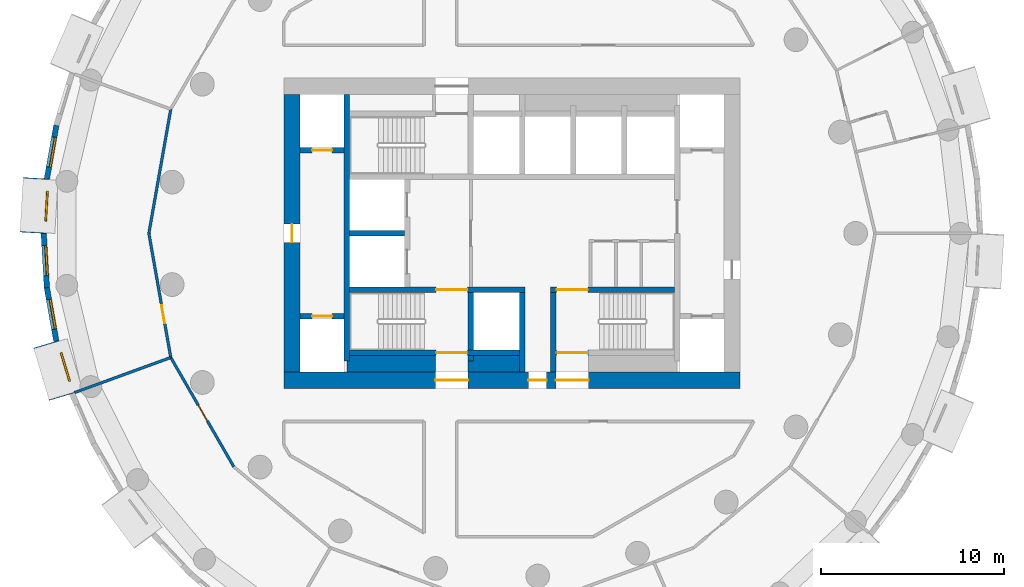
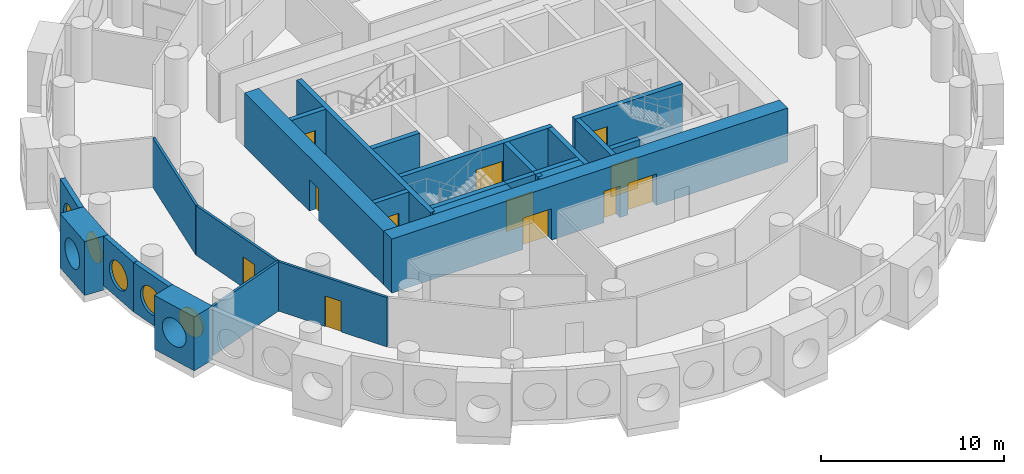
# One storey, part 3 of 9: 26 walls, 12 doors, 5 windows, 17 openings.
"""IFC4 building model written with IfcOpenShell, lengths in metres."""

from ifc_helpers import new_model, si_unit, direction, frame, frame_2d, origin, origin_2d, place, context, subcontext, project, spatial, rectangle, circle, extrude, material, layer, layer_set, type_object, element, fill, save


model = new_model("IFC4")

# Units and contexts
model_context = context("Model", 3, precision=1e-05, world=origin(), true_north=direction((0.0, 1.0)))
body_context = subcontext(model_context, "Body", "Model", "MODEL_VIEW")
ifc_project = project(units=[si_unit("LENGTHUNIT", "METRE"), si_unit("AREAUNIT", "SQUARE_METRE"), si_unit("VOLUMEUNIT", "CUBIC_METRE"), si_unit("PLANEANGLEUNIT", "RADIAN"), si_unit("MASSUNIT", "GRAM", prefix="KILO")], contexts=[model_context])

# Site, building, storey
site_placement = place(None, origin())
site = spatial("IfcSite", under=ifc_project, at=site_placement, CompositionType="ELEMENT")
building_placement = place(site_placement, origin())
building = spatial("IfcBuilding", under=site, at=building_placement, Name="Tracery Tower", CompositionType="ELEMENT")
storey_placement = place(building_placement, frame((0.0, 0.0, 176.39990234375)))
storey = spatial("IfcBuildingStorey", under=building, at=storey_placement, Name="L45", CompositionType="ELEMENT", Elevation=176.39990234375)

# Walls
ifc_material_1 = material(Name="Concrete C50/60", Category="concrete")
ifc_layer_1 = layer(ifc_material_1, 0.89990234375)
ifc_layer_set_1 = layer_set([ifc_layer_1], Name="Core strip wall 900 C50")
wall_type_1 = type_object("IfcWallType", Name="Core strip wall 900 C50", PredefinedType="SOLIDWALL", material=ifc_layer_set_1)
wall_1_placement = place(storey_placement, frame((-9.050048828125, -7.14990234375, 0.0), z_axis=(0.0, 0.0, 1.0), x_axis=(1.0, 0.0, 0.0)))
element("IfcWall", 1, at=wall_1_placement, inside=storey, type_object=wall_type_1, Name="L45 F thick S W", PredefinedType="SOLIDWALL", context=body_context, shape_type="SweptSolid", body=[
    extrude(rectangle(XDim=4.85009765625, YDim=0.89990234375, at=frame_2d((2.425048828125, 0.0))), origin(), (0.0, 0.0, 1.0), 3.300048828125),
])
wall_2_placement = place(storey_placement, frame((-2.39990234375, -7.14990234375, 0.0), z_axis=(0.0, 0.0, 1.0), x_axis=(1.0, 0.0, 0.0)))
element("IfcWall", 2, at=wall_2_placement, inside=storey, type_object=wall_type_1, Name="L45 F thick S mid", PredefinedType="SOLIDWALL", context=body_context, shape_type="SweptSolid", body=[
    extrude(rectangle(XDim=2.7998046875, YDim=0.89990234375, at=frame_2d((1.39990234375, 0.0))), origin(), (0.0, 0.0, 1.0), 3.300048828125),
])

# Wall, openings, doors
ifc_material_2 = material(Name="Concrete C50/60", Category="concrete")
ifc_layer_2 = layer(ifc_material_2, 0.89990234375)
ifc_layer_set_2 = layer_set([ifc_layer_2], Name="Core wall 900 C50")
wall_type_2 = type_object("IfcWallType", Name="Core wall 900 C50", PredefinedType="SOLIDWALL", material=ifc_layer_set_2)
wall_3_placement = place(storey_placement, frame((-12.5, -8.050048828125, 0.0), z_axis=(0.0, 0.0, 1.0), x_axis=(1.0, 0.0, 0.0)))
wall_3 = element("IfcWall", 3, at=wall_3_placement, inside=storey, type_object=wall_type_2, Name="L45 outer S", PredefinedType="SOLIDWALL", context=body_context, shape_type="SweptSolid", body=[
    extrude(rectangle(XDim=25.0, YDim=0.89990234375, at=frame_2d((12.5, 0.0))), origin(), (0.0, 0.0, 1.0), 3.60009765625),
])
opening_1_placement = place(wall_3_placement, frame((13.39990234375, 0.0, 0.0)))
opening_1 = element("IfcOpeningElement", 4, at=opening_1_placement, cuts=wall_3, Name="Opening KD16", PredefinedType="OPENING", context=body_context, shape_type="SweptSolid", body=[
    extrude(rectangle(XDim=1.0, YDim=2.10009765625, at=frame_2d((0.5, 1.050048828125))), frame((0.0, 0.449951171875, 0.0), z_axis=(0.0, -1.0, 0.0), x_axis=(1.0, 0.0, 0.0)), (0.0, 0.0, 1.0), 0.89990234375),
])
opening_2_placement = place(wall_3_placement, frame((8.300048828125, 0.0, 0.0)))
opening_2 = element("IfcOpeningElement", 5, at=opening_2_placement, cuts=wall_3, Name="Opening KD13", PredefinedType="OPENING", context=body_context, shape_type="SweptSolid", body=[
    extrude(rectangle(XDim=1.800048828125, YDim=2.10009765625, at=frame_2d((0.89990234375, 1.050048828125))), frame((0.0, 0.449951171875, 0.0), z_axis=(0.0, -1.0, 0.0), x_axis=(1.0, 0.0, 0.0)), (0.0, 0.0, 1.0), 0.89990234375),
])
opening_3_placement = place(wall_3_placement, frame((14.89990234375, 0.0, 0.0)))
opening_3 = element("IfcOpeningElement", 6, at=opening_3_placement, cuts=wall_3, Name="Opening KD13", PredefinedType="OPENING", context=body_context, shape_type="SweptSolid", body=[
    extrude(rectangle(XDim=1.800048828125, YDim=2.10009765625, at=frame_2d((0.89990234375, 1.050048828125))), frame((0.0, 0.449951171875, 0.0), z_axis=(0.0, -1.0, 0.0), x_axis=(1.0, 0.0, 0.0)), (0.0, 0.0, 1.0), 0.89990234375),
])
ifc_material_3 = material(Name="Steel fire door", Category="steel")
door_type_1 = type_object("IfcDoorType", Name="Core exit door 1000", OperationType="NOTDEFINED", PredefinedType="DOOR", material=ifc_material_3)
door_1_placement = place(opening_1_placement, origin())
door_1 = element("IfcDoor", 7, at=door_1_placement, inside=storey, type_object=door_type_1, Name="Core exit door", OperationType="SINGLE_SWING_LEFT", OverallHeight=2.10009765625, OverallWidth=1.0, PredefinedType="DOOR", context=body_context, shape_type="SweptSolid", body=[
    extrude(rectangle(XDim=1.0, YDim=2.10009765625, at=frame_2d((0.5, 1.050048828125))), frame((0.0, 0.02490234375, 0.0), z_axis=(0.0, -1.0, 0.0), x_axis=(1.0, 0.0, 0.0)), (0.0, 0.0, 1.0), 0.050048828125),
])
fill(opening_1, door_1)
ifc_material_4 = material(Name="Steel fire door", Category="steel")
door_type_2 = type_object("IfcDoorType", Name="Core exit door 1800 double", OperationType="NOTDEFINED", PredefinedType="DOOR", material=ifc_material_4)
door_2_placement = place(opening_2_placement, origin())
door_2 = element("IfcDoor", 8, at=door_2_placement, inside=storey, type_object=door_type_2, Name="Core exit door", OperationType="DOUBLE_DOOR_SINGLE_SWING", OverallHeight=2.10009765625, OverallWidth=1.800048828125, PredefinedType="DOOR", context=body_context, shape_type="SweptSolid", body=[
    extrude(rectangle(XDim=1.800048828125, YDim=2.10009765625, at=frame_2d((0.89990234375, 1.050048828125))), frame((0.0, 0.02490234375, 0.0), z_axis=(0.0, -1.0, 0.0), x_axis=(1.0, 0.0, 0.0)), (0.0, 0.0, 1.0), 0.050048828125),
])
fill(opening_2, door_2)
door_3_placement = place(opening_3_placement, origin())
door_3 = element("IfcDoor", 9, at=door_3_placement, inside=storey, type_object=door_type_2, Name="Core exit door", OperationType="DOUBLE_DOOR_SINGLE_SWING", OverallHeight=2.10009765625, OverallWidth=1.800048828125, PredefinedType="DOOR", context=body_context, shape_type="SweptSolid", body=[
    extrude(rectangle(XDim=1.800048828125, YDim=2.10009765625, at=frame_2d((0.89990234375, 1.050048828125))), frame((0.0, 0.02490234375, 0.0), z_axis=(0.0, -1.0, 0.0), x_axis=(1.0, 0.0, 0.0)), (0.0, 0.0, 1.0), 0.050048828125),
])
fill(opening_3, door_3)

# Wall, opening, door
wall_4_placement = place(storey_placement, frame((-12.050048828125, -7.60009765625, 0.0), z_axis=(0.0, 0.0, 1.0), x_axis=(0.0, 1.0, 0.0)))
wall_4 = element("IfcWall", 10, at=wall_4_placement, inside=storey, type_object=wall_type_2, Name="L45 outer W", PredefinedType="SOLIDWALL", context=body_context, shape_type="SweptSolid", body=[
    extrude(rectangle(XDim=15.2001953125, YDim=0.89990234375, at=frame_2d((7.60009765625, 0.0))), origin(), (0.0, 0.0, 1.0), 3.60009765625),
])
opening_4_placement = place(wall_4_placement, frame((7.10009765625, 0.0, 0.0)))
opening_4 = element("IfcOpeningElement", 11, at=opening_4_placement, cuts=wall_4, Name="Opening KD18", PredefinedType="OPENING", context=body_context, shape_type="SweptSolid", body=[
    extrude(rectangle(XDim=1.0, YDim=2.10009765625, at=frame_2d((0.5, 1.050048828125))), frame((0.0, 0.449951171875, 0.0), z_axis=(0.0, -1.0, 0.0), x_axis=(1.0, 0.0, 0.0)), (0.0, 0.0, 1.0), 0.89990234375),
])
door_4_placement = place(opening_4_placement, origin())
door_4 = element("IfcDoor", 12, at=door_4_placement, inside=storey, type_object=door_type_1, Name="Core exit door", OperationType="DOUBLE_DOOR_SINGLE_SWING", OverallHeight=2.10009765625, OverallWidth=1.0, PredefinedType="DOOR", context=body_context, shape_type="SweptSolid", body=[
    extrude(rectangle(XDim=1.0, YDim=2.10009765625, at=frame_2d((0.5, 1.050048828125))), frame((0.0, 0.02490234375, 0.0), z_axis=(0.0, -1.0, 0.0), x_axis=(1.0, 0.0, 0.0)), (0.0, 0.0, 1.0), 0.050048828125),
])
fill(opening_4, door_4)

# Wall, opening, window
ifc_material_5 = material(Name="Precast concrete C50/60", Category="concrete")
ifc_layer_3 = layer(ifc_material_5, 1.449951171875)
ifc_layer_set_3 = layer_set([ifc_layer_3], Name="Deep-set bay unit 3000 x 3600, slab edge 300")
wall_type_3 = type_object("IfcWallType", Name="Deep-set bay unit 3000 x 3600, slab edge 300", PredefinedType="ELEMENTEDWALL", material=ifc_layer_set_3)
wall_5_placement = place(storey_placement, frame((-26.047607421875, 3.01953125, -0.2998046875), z_axis=(0.0, 0.0, 1.0), x_axis=(-0.058106596105, -0.998310384344, 0.0)))
wall_5 = element("IfcWall", 13, at=wall_5_placement, inside=storey, type_object=wall_type_3, Name="Deep-set bay unit 27 at L45", PredefinedType="ELEMENTEDWALL", context=body_context, shape_type="SweptSolid", body=[
    extrude(rectangle(XDim=3.0, YDim=1.449951171875, at=frame_2d((1.5, 0.0))), origin(), (0.0, 0.0, 1.0), 3.599853515625),
])
opening_5_placement = place(wall_5_placement, frame((1.5, 0.0, 1.85009765625)))
opening_5 = element("IfcOpeningElement", 14, at=opening_5_placement, cuts=wall_5, Name="Opening WN1", PredefinedType="OPENING", context=body_context, shape_type="SweptSolid", body=[
    extrude(circle(Radius=0.9000244140625, at=origin_2d()), frame((0.0, 0.73486328125, 0.0), z_axis=(0.0, -1.0, 0.0), x_axis=(1.0, 0.0, 0.0)), (0.0, 0.0, 1.0), 1.469970703125),
])
ifc_material_6 = material(Name="Aluminium frame with tinted double glazing", Category="aluminium")
window_type = type_object("IfcWindowType", Name="Round window 1800", PartitioningType="SINGLE_PANEL", PredefinedType="WINDOW", material=ifc_material_6)
window_1_placement = place(opening_5_placement, origin())
window_1 = element("IfcWindow", 15, at=window_1_placement, inside=storey, type_object=window_type, Name="Round window 27 at L45", OverallHeight=1.800048828125, OverallWidth=1.800048828125, PartitioningType="SINGLE_PANEL", PredefinedType="WINDOW", context=body_context, shape_type="SweptSolid", body=[
    extrude(circle(Radius=0.9000244140625, at=origin_2d()), frame((0.0, 0.69482421875, 0.0), z_axis=(0.0, -1.0, 0.0), x_axis=(1.0, 0.0, 0.0)), (0.0, 0.0, 1.0), 0.10009765625),
])
fill(opening_5, window_1)

wall_6_placement = place(storey_placement, frame((-25.509521484375, -6.0712890625, -0.2998046875), z_axis=(0.0, 0.0, 1.0), x_axis=(0.286780420304, -0.957996341606, 0.0)))
wall_6 = element("IfcWall", 16, at=wall_6_placement, inside=storey, type_object=wall_type_3, Name="Deep-set bay unit 30 at L45", PredefinedType="ELEMENTEDWALL", context=body_context, shape_type="SweptSolid", body=[
    extrude(rectangle(XDim=3.0, YDim=1.449951171875, at=frame_2d((1.5, 0.0))), origin(), (0.0, 0.0, 1.0), 3.599853515625),
])
opening_6_placement = place(wall_6_placement, frame((1.5, 0.0, 1.85009765625)))
opening_6 = element("IfcOpeningElement", 17, at=opening_6_placement, cuts=wall_6, Name="Opening WN1", PredefinedType="OPENING", context=body_context, shape_type="SweptSolid", body=[
    extrude(circle(Radius=0.9000244140625, at=origin_2d()), frame((0.0, 0.73486328125, 0.0), z_axis=(0.0, -1.0, 0.0), x_axis=(1.0, 0.0, 0.0)), (0.0, 0.0, 1.0), 1.469970703125),
])
window_2_placement = place(opening_6_placement, origin())
window_2 = element("IfcWindow", 18, at=window_2_placement, inside=storey, type_object=window_type, Name="Round window 30 at L45", OverallHeight=1.800048828125, OverallWidth=1.800048828125, PartitioningType="SINGLE_PANEL", PredefinedType="WINDOW", context=body_context, shape_type="SweptSolid", body=[
    extrude(circle(Radius=0.9000244140625, at=origin_2d()), frame((0.0, 0.69482421875, 0.0), z_axis=(0.0, -1.0, 0.0), x_axis=(1.0, 0.0, 0.0)), (0.0, 0.0, 1.0), 0.10009765625),
])
fill(opening_6, window_2)

ifc_material_7 = material(Name="Precast concrete C50/60", Category="concrete")
ifc_layer_4 = layer(ifc_material_7, 0.300048828125)
ifc_layer_set_4 = layer_set([ifc_layer_4], Name="Facade panel 3000 x 3300")
wall_type_4 = type_object("IfcWallType", Name="Facade panel 3000 x 3300", PredefinedType="SOLIDWALL", material=ifc_layer_set_4)
wall_7_placement = place(storey_placement, frame((-24.9560546875, 5.914794921875, 0.0), z_axis=(0.0, 0.0, 1.0), x_axis=(-0.173686952598, -0.984800915159, 0.0)))
wall_7 = element("IfcWall", 19, at=wall_7_placement, inside=storey, type_object=wall_type_4, Name="Facade panel 26 at L45", PredefinedType="SOLIDWALL", context=body_context, shape_type="SweptSolid", body=[
    extrude(rectangle(XDim=2.972900390625, YDim=0.300048828125, at=frame_2d((1.486328125, 0.0))), origin(), (0.0, 0.0, 1.0), 3.300048828125),
])
opening_7_placement = place(wall_7_placement, frame((1.486328125, 0.0, 1.5498046875)))
opening_7 = element("IfcOpeningElement", 20, at=opening_7_placement, cuts=wall_7, Name="Opening WN1", PredefinedType="OPENING", context=body_context, shape_type="SweptSolid", body=[
    extrude(circle(Radius=0.9000244140625, at=origin_2d()), frame((0.0, 0.159912109375, 0.0), z_axis=(0.0, -1.0, 0.0), x_axis=(1.0, 0.0, 0.0)), (0.0, 0.0, 1.0), 0.320068359375),
])
window_3_placement = place(opening_7_placement, origin())
window_3 = element("IfcWindow", 21, at=window_3_placement, inside=storey, type_object=window_type, Name="Round window 26 at L45", OverallHeight=1.800048828125, OverallWidth=1.800048828125, PartitioningType="SINGLE_PANEL", PredefinedType="WINDOW", context=body_context, shape_type="SweptSolid", body=[
    extrude(circle(Radius=0.9000244140625, at=origin_2d()), frame((0.0, 0.1201171875, 0.0), z_axis=(0.0, -1.0, 0.0), x_axis=(1.0, 0.0, 0.0)), (0.0, 0.0, 1.0), 0.10009765625),
])
fill(opening_7, window_3)

wall_8_placement = place(storey_placement, frame((-25.64697265625, -0.009521484375, 0.0), z_axis=(0.0, 0.0, 1.0), x_axis=(0.058139540521, -0.998308466271, 0.0)))
wall_8 = element("IfcWall", 22, at=wall_8_placement, inside=storey, type_object=wall_type_4, Name="Facade panel 28 at L45", PredefinedType="SOLIDWALL", context=body_context, shape_type="SweptSolid", body=[
    extrude(rectangle(XDim=2.97314453125, YDim=0.300048828125, at=frame_2d((1.486572265625, 0.0))), origin(), (0.0, 0.0, 1.0), 3.300048828125),
])
opening_8_placement = place(wall_8_placement, frame((1.486328125, 0.0, 1.5498046875)))
opening_8 = element("IfcOpeningElement", 23, at=opening_8_placement, cuts=wall_8, Name="Opening WN1", PredefinedType="OPENING", context=body_context, shape_type="SweptSolid", body=[
    extrude(circle(Radius=0.9000244140625, at=origin_2d()), frame((0.0, 0.159912109375, 0.0), z_axis=(0.0, -1.0, 0.0), x_axis=(1.0, 0.0, 0.0)), (0.0, 0.0, 1.0), 0.320068359375),
])
window_4_placement = place(opening_8_placement, origin())
window_4 = element("IfcWindow", 24, at=window_4_placement, inside=storey, type_object=window_type, Name="Round window 28 at L45", OverallHeight=1.800048828125, OverallWidth=1.800048828125, PartitioningType="SINGLE_PANEL", PredefinedType="WINDOW", context=body_context, shape_type="SweptSolid", body=[
    extrude(circle(Radius=0.9000244140625, at=origin_2d()), frame((0.0, 0.1201171875, 0.0), z_axis=(0.0, -1.0, 0.0), x_axis=(1.0, 0.0, 0.0)), (0.0, 0.0, 1.0), 0.10009765625),
])
fill(opening_8, window_4)

wall_9_placement = place(storey_placement, frame((-25.47412109375, -2.9775390625, 0.0), z_axis=(0.0, 0.0, 1.0), x_axis=(0.173686952598, -0.984800915159, 0.0)))
wall_9 = element("IfcWall", 25, at=wall_9_placement, inside=storey, type_object=wall_type_4, Name="Facade panel 29 at L45", PredefinedType="SOLIDWALL", context=body_context, shape_type="SweptSolid", body=[
    extrude(rectangle(XDim=2.972900390625, YDim=0.300048828125, at=frame_2d((1.486328125, 0.0))), origin(), (0.0, 0.0, 1.0), 3.300048828125),
])
opening_9_placement = place(wall_9_placement, frame((1.486328125, 0.0, 1.5498046875)))
opening_9 = element("IfcOpeningElement", 26, at=opening_9_placement, cuts=wall_9, Name="Opening WN1", PredefinedType="OPENING", context=body_context, shape_type="SweptSolid", body=[
    extrude(circle(Radius=0.9000244140625, at=origin_2d()), frame((0.0, 0.159912109375, 0.0), z_axis=(0.0, -1.0, 0.0), x_axis=(1.0, 0.0, 0.0)), (0.0, 0.0, 1.0), 0.320068359375),
])
window_5_placement = place(opening_9_placement, origin())
window_5 = element("IfcWindow", 27, at=window_5_placement, inside=storey, type_object=window_type, Name="Round window 29 at L45", OverallHeight=1.800048828125, OverallWidth=1.800048828125, PartitioningType="SINGLE_PANEL", PredefinedType="WINDOW", context=body_context, shape_type="SweptSolid", body=[
    extrude(circle(Radius=0.9000244140625, at=origin_2d()), frame((0.0, 0.1201171875, 0.0), z_axis=(0.0, -1.0, 0.0), x_axis=(1.0, 0.0, 0.0)), (0.0, 0.0, 1.0), 0.10009765625),
])
fill(opening_9, window_5)

# Wall
ifc_material_8 = material(Name="Plasterboard on steel studs", Category="steel")
ifc_layer_5 = layer(ifc_material_8, 0.14990234375)
ifc_layer_set_5 = layer_set([ifc_layer_5], Name="Partition 150 acoustic unit wall")
wall_type_5 = type_object("IfcWallType", Name="Partition 150 acoustic unit wall", PredefinedType="PARTITIONING", material=ifc_layer_set_5)
wall_10_placement = place(storey_placement, frame((-23.9599609375, -8.720947265625, 0.0), z_axis=(0.0, 0.0, 1.0), x_axis=(0.939686652043, 0.342036541866, 0.0)))
element("IfcWall", 28, at=wall_10_placement, inside=storey, type_object=wall_type_5, Name="Unit wall RB5-063", PredefinedType="PARTITIONING", context=body_context, shape_type="SweptSolid", body=[
    extrude(rectangle(XDim=5.6103515625, YDim=0.14990234375, at=frame_2d((2.80517578125, 0.0))), origin(), (0.0, 0.0, 1.0), 3.300048828125),
])

# Wall, opening, door
ifc_material_9 = material(Name="Plasterboard on steel studs", Category="steel")
ifc_layer_6 = layer(ifc_material_9, 0.14990234375)
ifc_layer_set_6 = layer_set([ifc_layer_6], Name="Partition 150 corridor wall")
wall_type_6 = type_object("IfcWallType", Name="Partition 150 corridor wall", PredefinedType="PARTITIONING", material=ifc_layer_set_6)
wall_11_placement = place(storey_placement, frame((-19.887939453125, 0.0, 0.0), z_axis=(0.0, 0.0, 1.0), x_axis=(0.173728873845, -0.98479352069, 0.0)))
wall_11 = element("IfcWall", 29, at=wall_11_placement, inside=storey, type_object=wall_type_6, Name="Corridor wall RB5-027", PredefinedType="PARTITIONING", context=body_context, shape_type="SweptSolid", body=[
    extrude(rectangle(XDim=6.906982421875, YDim=0.14990234375, at=frame_2d((3.45361328125, 0.0))), origin(), (0.0, 0.0, 1.0), 3.300048828125),
])
opening_10_placement = place(wall_11_placement, frame((4.0029296875, 0.0, 0.0)))
opening_10 = element("IfcOpeningElement", 30, at=opening_10_placement, cuts=wall_11, Name="Opening RB5-21", PredefinedType="OPENING", context=body_context, shape_type="SweptSolid", body=[
    extrude(rectangle(XDim=1.0, YDim=2.0400390625, at=frame_2d((0.5, 1.02001953125))), frame((0.0, 0.074951171875, 0.0), z_axis=(0.0, -1.0, 0.0), x_axis=(1.0, 0.0, 0.0)), (0.0, 0.0, 1.0), 0.14990234375),
])
ifc_material_10 = material(Name="Timber door leaf", Category="wood")
door_type_3 = type_object("IfcDoorType", Name="Door communal room 1000", OperationType="NOTDEFINED", PredefinedType="DOOR", material=ifc_material_10)
door_5_placement = place(opening_10_placement, origin())
door_5 = element("IfcDoor", 31, at=door_5_placement, inside=storey, type_object=door_type_3, Name="Communal room door RB5-21", OperationType="SINGLE_SWING_LEFT", OverallHeight=2.0400390625, OverallWidth=1.0, PredefinedType="DOOR", context=body_context, shape_type="SweptSolid", body=[
    extrude(rectangle(XDim=1.0, YDim=2.0400390625, at=frame_2d((0.5, 1.02001953125))), frame((0.0, 0.02490234375, 0.0), z_axis=(0.0, -1.0, 0.0), x_axis=(1.0, 0.0, 0.0)), (0.0, 0.0, 1.0), 0.050048828125),
])
fill(opening_10, door_5)

# Wall
wall_12_placement = place(storey_placement, frame((-19.887939453125, 0.0, 0.0), z_axis=(0.0, 0.0, 1.0), x_axis=(0.173728873845, 0.98479352069, 0.0)))
element("IfcWall", 32, at=wall_12_placement, inside=storey, type_object=wall_type_6, Name="Corridor wall RB5-028", PredefinedType="PARTITIONING", context=body_context, shape_type="SweptSolid", body=[
    extrude(rectangle(XDim=6.906982421875, YDim=0.14990234375, at=frame_2d((3.45361328125, 0.0))), origin(), (0.0, 0.0, 1.0), 3.300048828125),
])

# Wall, opening, door
wall_13_placement = place(storey_placement, frame((-18.68798828125, -6.802001953125, 0.0), z_axis=(0.0, 0.0, 1.0), x_axis=(0.499914202267, -0.866074933462, 0.0)))
wall_13 = element("IfcWall", 33, at=wall_13_placement, inside=storey, type_object=wall_type_6, Name="Corridor wall RB5-030", PredefinedType="PARTITIONING", context=body_context, shape_type="SweptSolid", body=[
    extrude(rectangle(XDim=6.906982421875, YDim=0.14990234375, at=frame_2d((3.45361328125, 0.0))), origin(), (0.0, 0.0, 1.0), 3.300048828125),
])
opening_11_placement = place(wall_13_placement, frame((3.003173828125, 0.0, 0.0)))
opening_11 = element("IfcOpeningElement", 34, at=opening_11_placement, cuts=wall_13, Name="Opening RB5-22", PredefinedType="OPENING", context=body_context, shape_type="SweptSolid", body=[
    extrude(rectangle(XDim=1.0, YDim=2.0400390625, at=frame_2d((0.5, 1.02001953125))), frame((0.0, 0.074951171875, 0.0), z_axis=(0.0, -1.0, 0.0), x_axis=(1.0, 0.0, 0.0)), (0.0, 0.0, 1.0), 0.14990234375),
])
door_6_placement = place(opening_11_placement, origin())
door_6 = element("IfcDoor", 35, at=door_6_placement, inside=storey, type_object=door_type_3, Name="Communal room door RB5-22", OperationType="SINGLE_SWING_LEFT", OverallHeight=2.0400390625, OverallWidth=1.0, PredefinedType="DOOR", context=body_context, shape_type="SweptSolid", body=[
    extrude(rectangle(XDim=1.0, YDim=2.0400390625, at=frame_2d((0.5, 1.02001953125))), frame((0.0, 0.02490234375, 0.0), z_axis=(0.0, -1.0, 0.0), x_axis=(1.0, 0.0, 0.0)), (0.0, 0.0, 1.0), 0.050048828125),
])
fill(opening_11, door_6)

# Walls
ifc_material_11 = material(Name="Concrete C50/60", Category="concrete")
ifc_layer_7 = layer(ifc_material_11, 0.300048828125)
ifc_layer_set_7 = layer_set([ifc_layer_7], Name="Shaft wall 300 C50")
wall_type_7 = type_object("IfcWallType", Name="Shaft wall 300 C50", PredefinedType="SOLIDWALL", material=ifc_layer_set_7)
wall_14_placement = place(storey_placement, frame((-8.89990234375, 0.0, 0.0), z_axis=(0.0, 0.0, 1.0), x_axis=(1.0, 0.0, 0.0)))
element("IfcWall", 36, at=wall_14_placement, inside=storey, type_object=wall_type_7, Name="L45 FF split", PredefinedType="SOLIDWALL", context=body_context, shape_type="SweptSolid", body=[
    extrude(rectangle(XDim=3.0, YDim=0.300048828125, at=frame_2d((1.5, 0.0))), origin(), (0.0, 0.0, 1.0), 3.300048828125),
])
wall_15_placement = place(storey_placement, frame((0.550048828125, -7.60009765625, 0.0), z_axis=(0.0, 0.0, 1.0), x_axis=(0.0, 1.0, 0.0)))
element("IfcWall", 37, at=wall_15_placement, inside=storey, type_object=wall_type_7, Name="L45 OB2 E", PredefinedType="SOLIDWALL", context=body_context, shape_type="SweptSolid", body=[
    extrude(rectangle(XDim=4.35009765625, YDim=0.300048828125, at=frame_2d((2.175048828125, 0.0))), origin(), (0.0, 0.0, 1.0), 3.300048828125),
])

# Wall, opening, door
wall_16_placement = place(storey_placement, frame((-11.60009765625, -4.550048828125, 0.0), z_axis=(0.0, 0.0, 1.0), x_axis=(1.0, 0.0, 0.0)))
wall_16 = element("IfcWall", 38, at=wall_16_placement, inside=storey, type_object=wall_type_7, Name="L45 MR W -4.55", PredefinedType="SOLIDWALL", context=body_context, shape_type="SweptSolid", body=[
    extrude(rectangle(XDim=2.400146484375, YDim=0.300048828125, at=frame_2d((1.2001953125, 0.0))), origin(), (0.0, 0.0, 1.0), 3.300048828125),
])
opening_12_placement = place(wall_16_placement, frame((0.64990234375, 0.0, 0.0)))
opening_12 = element("IfcOpeningElement", 39, at=opening_12_placement, cuts=wall_16, Name="Opening KD50", PredefinedType="OPENING", context=body_context, shape_type="SweptSolid", body=[
    extrude(rectangle(XDim=1.10009765625, YDim=2.10009765625, at=frame_2d((0.550048828125, 1.050048828125))), frame((0.0, 0.14990234375, 0.0), z_axis=(0.0, -1.0, 0.0), x_axis=(1.0, 0.0, 0.0)), (0.0, 0.0, 1.0), 0.300048828125),
])
ifc_material_12 = material(Name="Steel fire door", Category="steel")
door_type_4 = type_object("IfcDoorType", Name="Landing door 1100", OperationType="NOTDEFINED", PredefinedType="DOOR", material=ifc_material_12)
door_7_placement = place(opening_12_placement, origin())
door_7 = element("IfcDoor", 40, at=door_7_placement, inside=storey, type_object=door_type_4, Name="Landing door MR1", OperationType="SLIDING_TO_RIGHT", OverallHeight=2.10009765625, OverallWidth=1.10009765625, PredefinedType="DOOR", context=body_context, shape_type="SweptSolid", body=[
    extrude(rectangle(XDim=1.10009765625, YDim=2.10009765625, at=frame_2d((0.550048828125, 1.050048828125))), frame((0.0, 0.02490234375, 0.0), z_axis=(0.0, -1.0, 0.0), x_axis=(1.0, 0.0, 0.0)), (0.0, 0.0, 1.0), 0.050048828125),
])
fill(opening_12, door_7)

wall_17_placement = place(storey_placement, frame((-11.60009765625, 4.550048828125, 0.0), z_axis=(0.0, 0.0, 1.0), x_axis=(1.0, 0.0, 0.0)))
wall_17 = element("IfcWall", 41, at=wall_17_placement, inside=storey, type_object=wall_type_7, Name="L45 MR W +4.55", PredefinedType="SOLIDWALL", context=body_context, shape_type="SweptSolid", body=[
    extrude(rectangle(XDim=2.400146484375, YDim=0.300048828125, at=frame_2d((1.2001953125, 0.0))), origin(), (0.0, 0.0, 1.0), 3.300048828125),
])
opening_13_placement = place(wall_17_placement, frame((0.64990234375, 0.0, 0.0)))
opening_13 = element("IfcOpeningElement", 42, at=opening_13_placement, cuts=wall_17, Name="Opening KD49", PredefinedType="OPENING", context=body_context, shape_type="SweptSolid", body=[
    extrude(rectangle(XDim=1.10009765625, YDim=2.10009765625, at=frame_2d((0.550048828125, 1.050048828125))), frame((0.0, 0.14990234375, 0.0), z_axis=(0.0, -1.0, 0.0), x_axis=(1.0, 0.0, 0.0)), (0.0, 0.0, 1.0), 0.300048828125),
])
door_8_placement = place(opening_13_placement, origin())
door_8 = element("IfcDoor", 43, at=door_8_placement, inside=storey, type_object=door_type_4, Name="Landing door MR2", OperationType="SLIDING_TO_LEFT", OverallHeight=2.10009765625, OverallWidth=1.10009765625, PredefinedType="DOOR", context=body_context, shape_type="SweptSolid", body=[
    extrude(rectangle(XDim=1.10009765625, YDim=2.10009765625, at=frame_2d((0.550048828125, 1.050048828125))), frame((0.0, 0.02490234375, 0.0), z_axis=(0.0, -1.0, 0.0), x_axis=(1.0, 0.0, 0.0)), (0.0, 0.0, 1.0), 0.050048828125),
])
fill(opening_13, door_8)

ifc_material_13 = material(Name="Concrete C50/60", Category="concrete")
ifc_layer_8 = layer(ifc_material_13, 0.300048828125)
ifc_layer_set_8 = layer_set([ifc_layer_8], Name="Stair wall 300 C50")
wall_type_8 = type_object("IfcWallType", Name="Stair wall 300 C50", PredefinedType="SOLIDWALL", material=ifc_layer_set_8)
wall_18_placement = place(storey_placement, frame((-8.89990234375, -3.10009765625, 0.0), z_axis=(0.0, 0.0, 1.0), x_axis=(1.0, 0.0, 0.0)))
wall_18 = element("IfcWall", 44, at=wall_18_placement, inside=storey, type_object=wall_type_8, Name="L45 row S", PredefinedType="SOLIDWALL", context=body_context, shape_type="SweptSolid", body=[
    extrude(rectangle(XDim=9.599853515625, YDim=0.300048828125, at=frame_2d((4.7998046875, 0.0))), origin(), (0.0, 0.0, 1.0), 3.300048828125),
])
opening_14_placement = place(wall_18_placement, frame((4.75, 0.0, 0.0)))
opening_14 = element("IfcOpeningElement", 45, at=opening_14_placement, cuts=wall_18, Name="Opening KD3", PredefinedType="OPENING", context=body_context, shape_type="SweptSolid", body=[
    extrude(rectangle(XDim=1.699951171875, YDim=2.10009765625, at=frame_2d((0.85009765625, 1.050048828125))), frame((0.0, 0.14990234375, 0.0), z_axis=(0.0, -1.0, 0.0), x_axis=(1.0, 0.0, 0.0)), (0.0, 0.0, 1.0), 0.300048828125),
])
ifc_material_14 = material(Name="Steel fire door", Category="steel")
door_type_5 = type_object("IfcDoorType", Name="Core stair door 1700 double", OperationType="NOTDEFINED", PredefinedType="DOOR", material=ifc_material_14)
door_9_placement = place(opening_14_placement, origin())
door_9 = element("IfcDoor", 46, at=door_9_placement, inside=storey, type_object=door_type_5, Name="Stair door ST1", OperationType="DOUBLE_DOOR_SINGLE_SWING", OverallHeight=2.10009765625, OverallWidth=1.699951171875, PredefinedType="DOOR", context=body_context, shape_type="SweptSolid", body=[
    extrude(rectangle(XDim=1.699951171875, YDim=2.10009765625, at=frame_2d((0.85009765625, 1.050048828125))), frame((0.0, 0.02490234375, 0.0), z_axis=(0.0, -1.0, 0.0), x_axis=(1.0, 0.0, 0.0)), (0.0, 0.0, 1.0), 0.050048828125),
])
fill(opening_14, door_9)

wall_19_placement = place(storey_placement, frame((2.10009765625, -3.10009765625, 0.0), z_axis=(0.0, 0.0, 1.0), x_axis=(1.0, 0.0, 0.0)))
wall_19 = element("IfcWall", 47, at=wall_19_placement, inside=storey, type_object=wall_type_8, Name="L45 row S E", PredefinedType="SOLIDWALL", context=body_context, shape_type="SweptSolid", body=[
    extrude(rectangle(XDim=6.7998046875, YDim=0.300048828125, at=frame_2d((3.39990234375, 0.0))), origin(), (0.0, 0.0, 1.0), 3.300048828125),
])
opening_15_placement = place(wall_19_placement, frame((0.35009765625, 0.0, 0.0)))
opening_15 = element("IfcOpeningElement", 48, at=opening_15_placement, cuts=wall_19, Name="Opening KD3", PredefinedType="OPENING", context=body_context, shape_type="SweptSolid", body=[
    extrude(rectangle(XDim=1.699951171875, YDim=2.10009765625, at=frame_2d((0.85009765625, 1.050048828125))), frame((0.0, 0.14990234375, 0.0), z_axis=(0.0, -1.0, 0.0), x_axis=(1.0, 0.0, 0.0)), (0.0, 0.0, 1.0), 0.300048828125),
])
door_10_placement = place(opening_15_placement, origin())
door_10 = element("IfcDoor", 49, at=door_10_placement, inside=storey, type_object=door_type_5, Name="Stair door ST2", OperationType="DOUBLE_DOOR_SINGLE_SWING", OverallHeight=2.10009765625, OverallWidth=1.699951171875, PredefinedType="DOOR", context=body_context, shape_type="SweptSolid", body=[
    extrude(rectangle(XDim=1.699951171875, YDim=2.10009765625, at=frame_2d((0.85009765625, 1.050048828125))), frame((0.0, 0.02490234375, 0.0), z_axis=(0.0, -1.0, 0.0), x_axis=(1.0, 0.0, 0.0)), (0.0, 0.0, 1.0), 0.050048828125),
])
fill(opening_15, door_10)

# Walls
wall_20_placement = place(storey_placement, frame((-2.25, -7.0, 0.0), z_axis=(0.0, 0.0, 1.0), x_axis=(0.0, 1.0, 0.0)))
element("IfcWall", 50, at=wall_20_placement, inside=storey, type_object=wall_type_8, Name="L45 ST1 E", PredefinedType="SOLIDWALL", context=body_context, shape_type="SweptSolid", body=[
    extrude(rectangle(XDim=3.75, YDim=0.300048828125, at=frame_2d((1.875, 0.0))), origin(), (0.0, 0.0, 1.0), 3.300048828125),
])
wall_21_placement = place(storey_placement, frame((2.25, -7.60009765625, 0.0), z_axis=(0.0, 0.0, 1.0), x_axis=(0.0, 1.0, 0.0)))
element("IfcWall", 51, at=wall_21_placement, inside=storey, type_object=wall_type_8, Name="L45 ST2 W", PredefinedType="SOLIDWALL", context=body_context, shape_type="SweptSolid", body=[
    extrude(rectangle(XDim=4.35009765625, YDim=0.300048828125, at=frame_2d((2.175048828125, 0.0))), origin(), (0.0, 0.0, 1.0), 3.300048828125),
])
wall_22_placement = place(storey_placement, frame((-9.050048828125, -7.0, 0.0), z_axis=(0.0, 0.0, 1.0), x_axis=(0.0, 1.0, 0.0)))
element("IfcWall", 52, at=wall_22_placement, inside=storey, type_object=wall_type_8, Name="L45 F wall -9", PredefinedType="SOLIDWALL", context=body_context, shape_type="SweptSolid", body=[
    extrude(rectangle(XDim=14.60009765625, YDim=0.300048828125, at=frame_2d((7.300048828125, 0.0))), origin(), (0.0, 0.0, 1.0), 3.300048828125),
])
wall_23_placement = place(storey_placement, frame((-8.89990234375, -6.550048828125, 0.0), z_axis=(0.0, 0.0, 1.0), x_axis=(1.0, 0.0, 0.0)))
element("IfcWall", 53, at=wall_23_placement, inside=storey, type_object=wall_type_8, Name="L45 F stair strip S W", PredefinedType="SOLIDWALL", context=body_context, shape_type="SweptSolid", body=[
    extrude(rectangle(XDim=4.699951171875, YDim=0.300048828125, at=frame_2d((2.35009765625, 0.0))), origin(), (0.0, 0.0, 1.0), 3.300048828125),
])
wall_24_placement = place(storey_placement, frame((-2.39990234375, -6.550048828125, 0.0), z_axis=(0.0, 0.0, 1.0), x_axis=(1.0, 0.0, 0.0)))
element("IfcWall", 54, at=wall_24_placement, inside=storey, type_object=wall_type_8, Name="L45 F stair strip S mid", PredefinedType="SOLIDWALL", context=body_context, shape_type="SweptSolid", body=[
    extrude(rectangle(XDim=2.7998046875, YDim=0.300048828125, at=frame_2d((1.39990234375, 0.0))), origin(), (0.0, 0.0, 1.0), 3.300048828125),
])

# Wall, opening, door
wall_25_placement = place(storey_placement, frame((-4.199951171875, -6.550048828125, 0.0), z_axis=(0.0, 0.0, 1.0), x_axis=(1.0, 0.0, 0.0)))
wall_25 = element("IfcWall", 55, at=wall_25_placement, inside=storey, type_object=wall_type_8, Name="L45 F stair S W", PredefinedType="SOLIDWALL", context=body_context, shape_type="SweptSolid", body=[
    extrude(rectangle(XDim=1.800048828125, YDim=0.300048828125, at=frame_2d((0.89990234375, 0.0))), origin(), (0.0, 0.0, 1.0), 3.300048828125),
])
opening_16_placement = place(wall_25_placement, frame((0.050048828125, 0.0, 0.0)))
opening_16 = element("IfcOpeningElement", 56, at=opening_16_placement, cuts=wall_25, Name="Opening KD3", PredefinedType="OPENING", context=body_context, shape_type="SweptSolid", body=[
    extrude(rectangle(XDim=1.699951171875, YDim=2.10009765625, at=frame_2d((0.85009765625, 1.050048828125))), frame((0.0, 0.14990234375, 0.0), z_axis=(0.0, -1.0, 0.0), x_axis=(1.0, 0.0, 0.0)), (0.0, 0.0, 1.0), 0.300048828125),
])
door_11_placement = place(opening_16_placement, origin())
door_11 = element("IfcDoor", 57, at=door_11_placement, inside=storey, type_object=door_type_5, Name="Stair door vest", OperationType="DOUBLE_DOOR_SINGLE_SWING", OverallHeight=2.10009765625, OverallWidth=1.699951171875, PredefinedType="DOOR", context=body_context, shape_type="SweptSolid", body=[
    extrude(rectangle(XDim=1.699951171875, YDim=2.10009765625, at=frame_2d((0.85009765625, 1.050048828125))), frame((0.0, 0.02490234375, 0.0), z_axis=(0.0, -1.0, 0.0), x_axis=(1.0, 0.0, 0.0)), (0.0, 0.0, 1.0), 0.050048828125),
])
fill(opening_16, door_11)

wall_26_placement = place(storey_placement, frame((2.39990234375, -6.550048828125, 0.0), z_axis=(0.0, 0.0, 1.0), x_axis=(1.0, 0.0, 0.0)))
wall_26 = element("IfcWall", 58, at=wall_26_placement, inside=storey, type_object=wall_type_8, Name="L45 F stair S E", PredefinedType="SOLIDWALL", context=body_context, shape_type="SweptSolid", body=[
    extrude(rectangle(XDim=1.800048828125, YDim=0.300048828125, at=frame_2d((0.89990234375, 0.0))), origin(), (0.0, 0.0, 1.0), 3.300048828125),
])
opening_17_placement = place(wall_26_placement, frame((0.050048828125, 0.0, 0.0)))
opening_17 = element("IfcOpeningElement", 59, at=opening_17_placement, cuts=wall_26, Name="Opening KD3", PredefinedType="OPENING", context=body_context, shape_type="SweptSolid", body=[
    extrude(rectangle(XDim=1.699951171875, YDim=2.10009765625, at=frame_2d((0.85009765625, 1.050048828125))), frame((0.0, 0.14990234375, 0.0), z_axis=(0.0, -1.0, 0.0), x_axis=(1.0, 0.0, 0.0)), (0.0, 0.0, 1.0), 0.300048828125),
])
door_12_placement = place(opening_17_placement, origin())
door_12 = element("IfcDoor", 60, at=door_12_placement, inside=storey, type_object=door_type_5, Name="Stair door vest", OperationType="DOUBLE_DOOR_SINGLE_SWING", OverallHeight=2.10009765625, OverallWidth=1.699951171875, PredefinedType="DOOR", context=body_context, shape_type="SweptSolid", body=[
    extrude(rectangle(XDim=1.699951171875, YDim=2.10009765625, at=frame_2d((0.85009765625, 1.050048828125))), frame((0.0, 0.02490234375, 0.0), z_axis=(0.0, -1.0, 0.0), x_axis=(1.0, 0.0, 0.0)), (0.0, 0.0, 1.0), 0.050048828125),
])
fill(opening_17, door_12)

save(model, "model.ifc")
